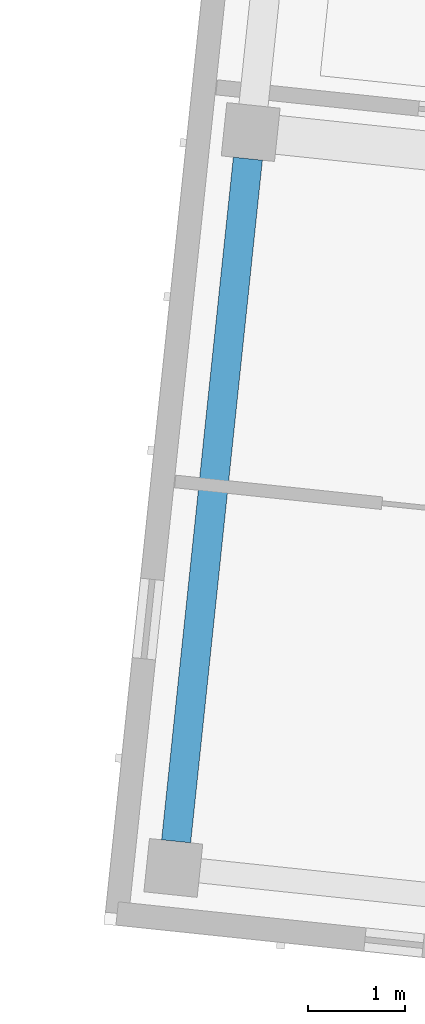
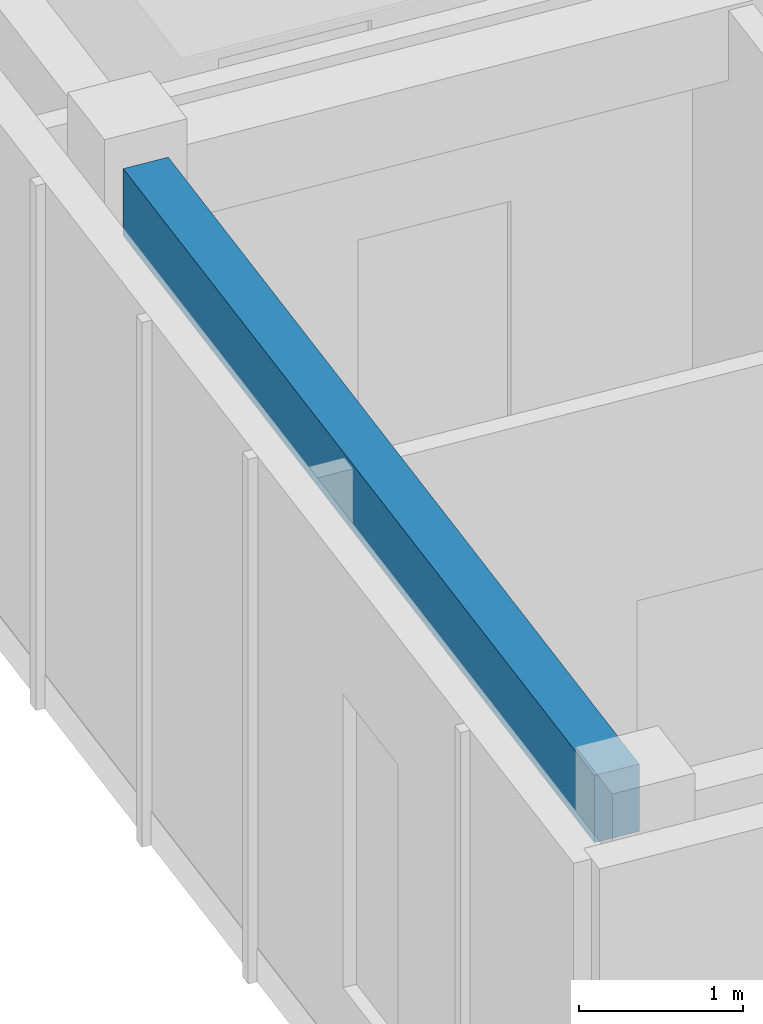
# One storey, part 55 of 150: 1 beam.
"""IFC4 building model written with IfcOpenShell, lengths in metres."""

from ifc_helpers import new_model, si_unit, direction, frame, origin, origin_2d, place, context, subcontext, project, spatial, rectangle, extrude, material, material_profile, profile_set, type_object, element, save


model = new_model("IFC4")

# Units and contexts
model_context = context("Model", 3, precision=1e-05, world=origin(), true_north=direction((0.0, 1.0)))
body_context = subcontext(model_context, "Body", "Model", "MODEL_VIEW")
ifc_project = project(units=[si_unit("LENGTHUNIT", "METRE"), si_unit("AREAUNIT", "SQUARE_METRE"), si_unit("VOLUMEUNIT", "CUBIC_METRE"), si_unit("PLANEANGLEUNIT", "RADIAN"), si_unit("MASSUNIT", "GRAM", prefix="KILO")], contexts=[model_context])

# Site, building, storey
site_placement = place(None, origin())
site = spatial("IfcSite", under=ifc_project, at=site_placement, CompositionType="ELEMENT")
building_placement = place(site_placement, origin())
building = spatial("IfcBuilding", under=site, at=building_placement, Name="Kestramere Prow Commons", CompositionType="ELEMENT")
storey_placement = place(building_placement, frame((0.0, 0.0, 4.5)))
storey = spatial("IfcBuildingStorey", under=building, at=storey_placement, Name="L01", CompositionType="ELEMENT", Elevation=4.5)

# Beam
ifc_material = material(Name="Precast concrete C40/50", Category="concrete")
ifc_material_profile = material_profile(ifc_material, rectangle(XDim=0.300048828125, YDim=0.5, at=origin_2d()), Name="PC-BM 300x500")
ifc_profile_set = profile_set([ifc_material_profile], Name="Precast concrete C40/50")
beam_type = type_object("IfcBeamType", Name="BM-TIE-01 PC-BM 300x500", PredefinedType="BEAM", material=ifc_profile_set)
beam_placement = place(storey_placement, frame((110.02880859375, 95.073486328125, 3.39990234375), z_axis=(0.104511730475, 0.994523653913, 0.0), x_axis=(-0.994523653913, 0.104511730475, 0.0)))
element("IfcBeam", 1, at=beam_placement, inside=storey, type_object=beam_type, Name="Block B L01 Transverse Beam 1-1", PredefinedType="BEAM", context=body_context, shape_type="SweptSolid", body=[
    extrude(rectangle(XDim=0.300048828125, YDim=0.5, at=origin_2d()), origin(), (0.0, 0.0, 1.0), 7.050048828125),
])

save(model, "model.ifc")
